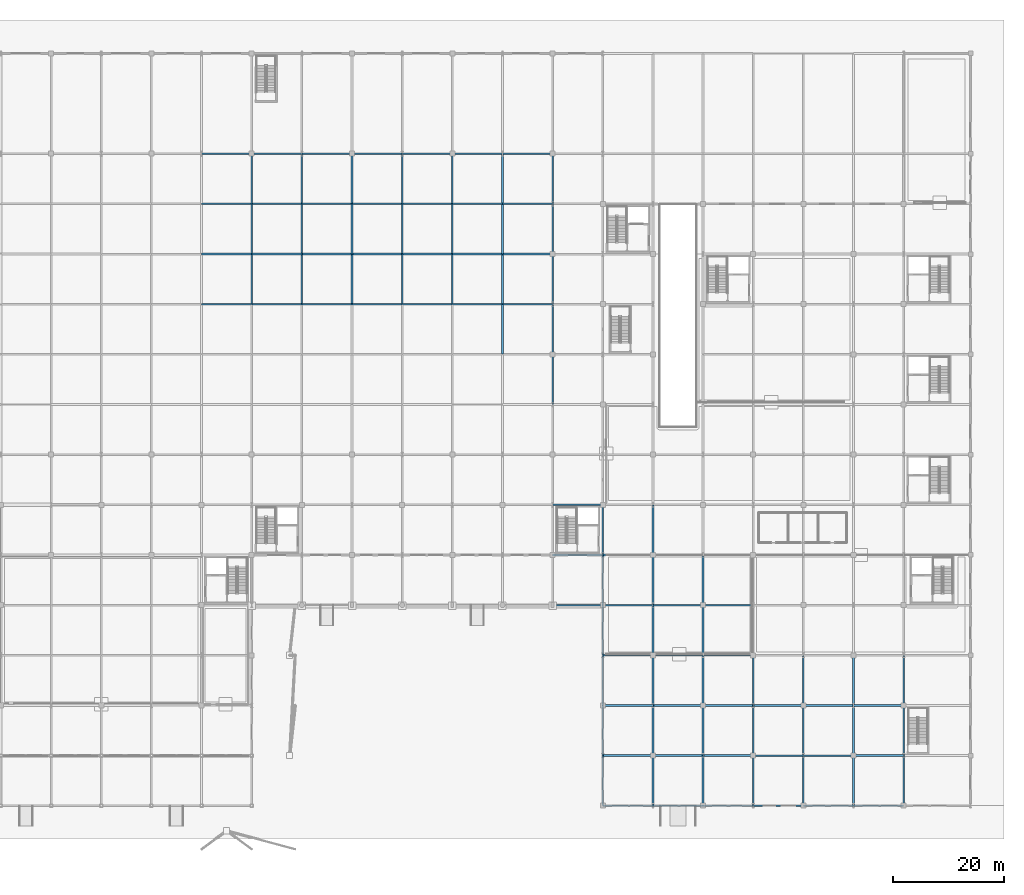
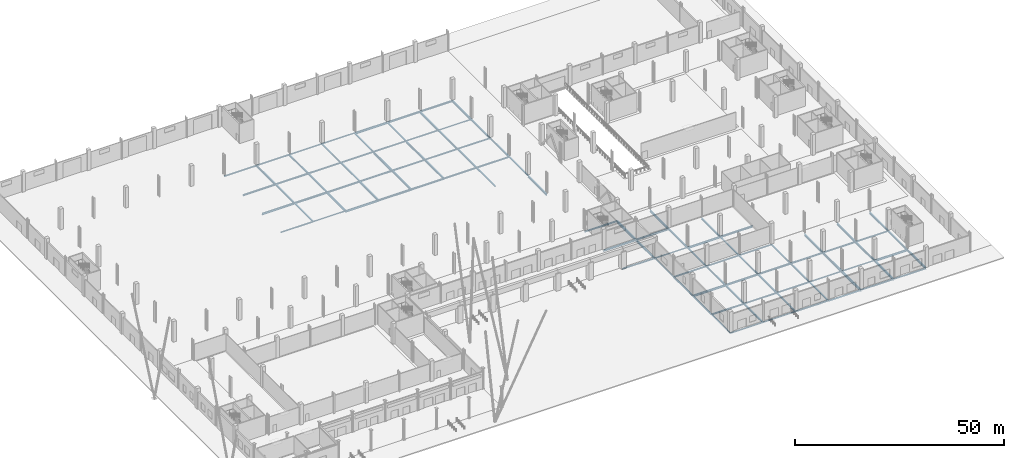
# One storey, part 21 of 58: 109 beams.
"""IFC4 building model written with IfcOpenShell, lengths in metres."""

from ifc_helpers import new_model, si_unit, direction, frame, origin, origin_2d, place, context, subcontext, project, spatial, hollow_rectangle, i_section, extrude, material, material_profile, profile_set, type_object, element, save


model = new_model("IFC4")

# Units and contexts
model_context = context("Model", 3, precision=1e-05, world=origin(), true_north=direction((0.0, 1.0)))
body_context = subcontext(model_context, "Body", "Model", "MODEL_VIEW")
ifc_project = project(units=[si_unit("LENGTHUNIT", "METRE"), si_unit("AREAUNIT", "SQUARE_METRE"), si_unit("VOLUMEUNIT", "CUBIC_METRE"), si_unit("PLANEANGLEUNIT", "RADIAN"), si_unit("MASSUNIT", "GRAM", prefix="KILO")], contexts=[model_context])

# Site, building, storey
site_placement = place(None, origin())
site = spatial("IfcSite", under=ifc_project, at=site_placement, CompositionType="ELEMENT")
building_placement = place(site_placement, origin())
building = spatial("IfcBuilding", under=site, at=building_placement, Name="Barlavento Convention Centre", CompositionType="ELEMENT")
storey_placement = place(building_placement, origin())
storey = spatial("IfcBuildingStorey", under=building, at=storey_placement, Name="L00", CompositionType="ELEMENT", Elevation=0.0)

# Beams
ifc_material = material(Name="Steel S355", Category="steel")
ifc_material_profile_1 = material_profile(ifc_material, i_section(OverallWidth=0.300048828125, OverallDepth=0.330078125, WebThickness=0.009521484375, FlangeThickness=0.0166015625, FilletRadius=0.027099609375, at=origin_2d()), Name="HEA 340")
ifc_profile_set_1 = profile_set([ifc_material_profile_1], Name="Steel S355")
beam_type_1 = type_object("IfcBeamType", Name="STR-BM-PRI-HEA340", PredefinedType="BEAM", material=ifc_profile_set_1)
for number, where, z_axis, x_axis, name in (
    (1, (153.0, 0.02001953125, -0.52490234375), (0.0, 1.0, 0.0), (-1.0, 0.0, 0.0), "L00 grid girder BG24"),
    (2, (153.0, 9.02001953125, -0.52490234375), (0.0, 1.0, 0.0), (-1.0, 0.0, 0.0), "L00 grid girder BG24"),
    (3, (153.0, 18.02001953125, -0.52490234375), (0.0, 1.0, 0.0), (-1.0, 0.0, 0.0), "L00 grid girder BG24"),
    (4, (117.0, 81.02001953125, -0.544921875), (0.0, 1.0, 0.0), (-1.0, 0.0, 0.0), "L00 grid girder BG24"),
    (5, (63.0, 90.02001953125, -0.544921875), (0.0, 1.0, 0.0), (-1.0, 0.0, 0.0), "L00 grid girder BG24"),
    (6, (81.0, 99.02001953125, -0.544921875), (0.0, 1.0, 0.0), (-1.0, 0.0, 0.0), "L00 grid girder BG24"),
    (7, (99.0, 108.02001953125, -0.544921875), (0.0, 1.0, 0.0), (-1.0, 0.0, 0.0), "L00 grid girder BG24"),
):
    element("IfcBeam", number, at=place(storey_placement, frame(where, z_axis=z_axis, x_axis=x_axis)), inside=storey, type_object=beam_type_1, Name=name, PredefinedType="BEAM", context=body_context, shape_type="SweptSolid", body=[
        extrude(i_section(OverallWidth=0.300048828125, OverallDepth=0.330078125, WebThickness=0.009521484375, FlangeThickness=0.0166015625, FilletRadius=0.027099609375, at=origin_2d()), origin(), (0.0, 0.0, 1.0), 8.9599609375),
    ])
ifc_material_profile_2 = material_profile(ifc_material, i_section(OverallWidth=0.300048828125, OverallDepth=0.35009765625, WebThickness=0.010009765625, FlangeThickness=0.017578125, FilletRadius=0.027099609375, at=origin_2d()), Name="HEA 360")
ifc_profile_set_2 = profile_set([ifc_material_profile_2], Name="Steel S355")
beam_type_2 = type_object("IfcBeamType", Name="STR-BM-PRI-HEA360", PredefinedType="BEAM", material=ifc_profile_set_2)
for number, where, z_axis, x_axis, name in (
    (8, (144.0, 0.02001953125, -0.534912109375), (0.0, 1.0, 0.0), (-1.0, 0.0, 0.0), "L00 grid girder BG23"),
    (9, (144.0, 9.02001953125, -0.534912109375), (0.0, 1.0, 0.0), (-1.0, 0.0, 0.0), "L00 grid girder BG23"),
    (10, (144.0, 18.02001953125, -0.534912109375), (0.0, 1.0, 0.0), (-1.0, 0.0, 0.0), "L00 grid girder BG23"),
    (11, (144.0, 27.02001953125, -0.534912109375), (0.0, 1.0, 0.0), (-1.0, 0.0, 0.0), "L00 grid girder BG23"),
    (12, (108.0, 81.02001953125, -0.554931640625), (0.0, 1.0, 0.0), (-1.0, 0.0, 0.0), "L00 grid girder BG23"),
    (13, (72.0, 99.02001953125, -0.554931640625), (0.0, 1.0, 0.0), (-1.0, 0.0, 0.0), "L00 grid girder BG23"),
    (14, (90.0, 108.02001953125, -0.554931640625), (0.0, 1.0, 0.0), (-1.0, 0.0, 0.0), "L00 grid girder BG23"),
):
    element("IfcBeam", number, at=place(storey_placement, frame(where, z_axis=z_axis, x_axis=x_axis)), inside=storey, type_object=beam_type_2, Name=name, PredefinedType="BEAM", context=body_context, shape_type="SweptSolid", body=[
        extrude(i_section(OverallWidth=0.300048828125, OverallDepth=0.35009765625, WebThickness=0.010009765625, FlangeThickness=0.017578125, FilletRadius=0.027099609375, at=origin_2d()), origin(), (0.0, 0.0, 1.0), 8.9599609375),
    ])
ifc_material_profile_3 = material_profile(ifc_material, i_section(OverallWidth=0.300048828125, OverallDepth=0.389892578125, WebThickness=0.010986328125, FlangeThickness=0.01904296875, FilletRadius=0.027099609375, at=origin_2d()), Name="HEA 400")
ifc_profile_set_3 = profile_set([ifc_material_profile_3], Name="Steel S355")
beam_type_3 = type_object("IfcBeamType", Name="STR-BM-PRI-HEA400", PredefinedType="BEAM", material=ifc_profile_set_3)
for number, where, z_axis, x_axis, name in (
    (15, (135.0, 0.02001953125, -0.554931640625), (0.0, 1.0, 0.0), (-1.0, 0.0, 0.0), "L00 grid girder BG22"),
    (16, (135.0, 9.02001953125, -0.554931640625), (0.0, 1.0, 0.0), (-1.0, 0.0, 0.0), "L00 grid girder BG22"),
    (17, (135.0, 18.02001953125, -0.554931640625), (0.0, 1.0, 0.0), (-1.0, 0.0, 0.0), "L00 grid girder BG22"),
    (18, (135.0, 27.02001953125, -0.554931640625), (0.0, 1.0, 0.0), (-1.0, 0.0, 0.0), "L00 grid girder BG22"),
    (19, (117.0, 90.02001953125, -0.574951171875), (0.0, 1.0, 0.0), (-1.0, 0.0, 0.0), "L00 grid girder BG22"),
    (20, (63.0, 99.02001953125, -0.574951171875), (0.0, 1.0, 0.0), (-1.0, 0.0, 0.0), "L00 grid girder BG22"),
    (21, (81.0, 108.02001953125, -0.574951171875), (0.0, 1.0, 0.0), (-1.0, 0.0, 0.0), "L00 grid girder BG22"),
):
    element("IfcBeam", number, at=place(storey_placement, frame(where, z_axis=z_axis, x_axis=x_axis)), inside=storey, type_object=beam_type_3, Name=name, PredefinedType="BEAM", context=body_context, shape_type="SweptSolid", body=[
        extrude(i_section(OverallWidth=0.300048828125, OverallDepth=0.389892578125, WebThickness=0.010986328125, FlangeThickness=0.01904296875, FilletRadius=0.027099609375, at=origin_2d()), origin(), (0.0, 0.0, 1.0), 8.9599609375),
    ])
ifc_material_profile_4 = material_profile(ifc_material, i_section(OverallWidth=0.300048828125, OverallDepth=0.43994140625, WebThickness=0.011474609375, FlangeThickness=0.02099609375, FilletRadius=0.027099609375, at=origin_2d()), Name="HEA 450")
ifc_profile_set_4 = profile_set([ifc_material_profile_4], Name="Steel S355")
beam_type_4 = type_object("IfcBeamType", Name="STR-BM-PRI-HEA450", PredefinedType="BEAM", material=ifc_profile_set_4)
for number, where, z_axis, x_axis, name in (
    (22, (144.0, 36.02001953125, -0.580078125), (0.0, 1.0, 0.0), (-1.0, 0.0, 0.0), "L00 grid girder BG21"),
    (23, (108.0, 90.02001953125, -0.60009765625), (0.0, 1.0, 0.0), (-1.0, 0.0, 0.0), "L00 grid girder BG21"),
    (24, (72.0, 108.02001953125, -0.60009765625), (0.0, 1.0, 0.0), (-1.0, 0.0, 0.0), "L00 grid girder BG21"),
):
    element("IfcBeam", number, at=place(storey_placement, frame(where, z_axis=z_axis, x_axis=x_axis)), inside=storey, type_object=beam_type_4, Name=name, PredefinedType="BEAM", context=body_context, shape_type="SweptSolid", body=[
        extrude(i_section(OverallWidth=0.300048828125, OverallDepth=0.43994140625, WebThickness=0.011474609375, FlangeThickness=0.02099609375, FilletRadius=0.027099609375, at=origin_2d()), origin(), (0.0, 0.0, 1.0), 8.9599609375),
    ])
ifc_material_profile_5 = material_profile(ifc_material, i_section(OverallWidth=0.300048828125, OverallDepth=0.489990234375, WebThickness=0.011962890625, FlangeThickness=0.02294921875, FilletRadius=0.027099609375, at=origin_2d()), Name="HEA 500")
ifc_profile_set_5 = profile_set([ifc_material_profile_5], Name="Steel S355")
beam_type_5 = type_object("IfcBeamType", Name="STR-BM-PRI-HEA500", PredefinedType="BEAM", material=ifc_profile_set_5)
for number, where, z_axis, x_axis, name in (
    (25, (135.0, 36.02001953125, -0.60498046875), (0.0, 1.0, 0.0), (-1.0, 0.0, 0.0), "L00 grid girder BG20"),
    (26, (99.0, 90.02001953125, -0.625), (0.0, 1.0, 0.0), (-1.0, 0.0, 0.0), "L00 grid girder BG20"),
    (27, (117.0, 99.02001953125, -0.625), (0.0, 1.0, 0.0), (-1.0, 0.0, 0.0), "L00 grid girder BG20"),
    (28, (63.0, 108.02001953125, -0.625), (0.0, 1.0, 0.0), (-1.0, 0.0, 0.0), "L00 grid girder BG20"),
):
    element("IfcBeam", number, at=place(storey_placement, frame(where, z_axis=z_axis, x_axis=x_axis)), inside=storey, type_object=beam_type_5, Name=name, PredefinedType="BEAM", context=body_context, shape_type="SweptSolid", body=[
        extrude(i_section(OverallWidth=0.300048828125, OverallDepth=0.489990234375, WebThickness=0.011962890625, FlangeThickness=0.02294921875, FilletRadius=0.027099609375, at=origin_2d()), origin(), (0.0, 0.0, 1.0), 8.9599609375),
    ])
ifc_material_profile_6 = material_profile(ifc_material, i_section(OverallWidth=0.300048828125, OverallDepth=0.5400390625, WebThickness=0.012451171875, FlangeThickness=0.02392578125, FilletRadius=0.027099609375, at=origin_2d()), Name="HEA 550")
ifc_profile_set_6 = profile_set([ifc_material_profile_6], Name="Steel S355")
beam_type_6 = type_object("IfcBeamType", Name="STR-BM-PRI-HEA550", PredefinedType="BEAM", material=ifc_profile_set_6)
for number, where, z_axis, x_axis, name in (
    (29, (180.0, 0.02001953125, -0.6298828125), (0.0, 1.0, 0.0), (-1.0, 0.0, 0.0), "L00 grid girder BG19"),
    (30, (180.0, 9.02001953125, -0.6298828125), (0.0, 1.0, 0.0), (-1.0, 0.0, 0.0), "L00 grid girder BG19"),
    (31, (180.0, 18.02001953125, -0.6298828125), (0.0, 1.0, 0.0), (-1.0, 0.0, 0.0), "L00 grid girder BG19"),
    (32, (126.0, 36.02001953125, -0.6298828125), (0.0, 1.0, 0.0), (-1.0, 0.0, 0.0), "L00 grid girder BG19"),
    (33, (90.0, 90.02001953125, -0.64990234375), (0.0, 1.0, 0.0), (-1.0, 0.0, 0.0), "L00 grid girder BG19"),
    (34, (108.0, 99.02001953125, -0.64990234375), (0.0, 1.0, 0.0), (-1.0, 0.0, 0.0), "L00 grid girder BG19"),
):
    element("IfcBeam", number, at=place(storey_placement, frame(where, z_axis=z_axis, x_axis=x_axis)), inside=storey, type_object=beam_type_6, Name=name, PredefinedType="BEAM", context=body_context, shape_type="SweptSolid", body=[
        extrude(i_section(OverallWidth=0.300048828125, OverallDepth=0.5400390625, WebThickness=0.012451171875, FlangeThickness=0.02392578125, FilletRadius=0.027099609375, at=origin_2d()), origin(), (0.0, 0.0, 1.0), 8.9599609375),
    ])
ifc_material_profile_7 = material_profile(ifc_material, i_section(OverallWidth=0.300048828125, OverallDepth=0.590087890625, WebThickness=0.012939453125, FlangeThickness=0.02490234375, FilletRadius=0.027099609375, at=origin_2d()), Name="HEA 600")
ifc_profile_set_7 = profile_set([ifc_material_profile_7], Name="Steel S355")
beam_type_7 = type_object("IfcBeamType", Name="STR-BM-PRI-HEA600", PredefinedType="BEAM", material=ifc_profile_set_7)
for number, where, z_axis, x_axis, name in (
    (35, (171.0, 0.02001953125, -0.655029296875), (0.0, 1.0, 0.0), (-1.0, 0.0, 0.0), "L00 grid girder BG18"),
    (36, (171.0, 9.02001953125, -0.655029296875), (0.0, 1.0, 0.0), (-1.0, 0.0, 0.0), "L00 grid girder BG18"),
    (37, (171.0, 18.02001953125, -0.655029296875), (0.0, 1.0, 0.0), (-1.0, 0.0, 0.0), "L00 grid girder BG18"),
    (38, (135.0, 45.02001953125, -0.655029296875), (0.0, 1.0, 0.0), (-1.0, 0.0, 0.0), "L00 grid girder BG18"),
    (39, (117.0, 72.02001953125, -0.675048828125), (0.0, 1.0, 0.0), (-1.0, 0.0, 0.0), "L00 grid girder BG18"),
    (40, (81.0, 90.02001953125, -0.675048828125), (0.0, 1.0, 0.0), (-1.0, 0.0, 0.0), "L00 grid girder BG18"),
    (41, (99.0, 99.02001953125, -0.675048828125), (0.0, 1.0, 0.0), (-1.0, 0.0, 0.0), "L00 grid girder BG18"),
    (42, (117.0, 108.02001953125, -0.675048828125), (0.0, 1.0, 0.0), (-1.0, 0.0, 0.0), "L00 grid girder BG18"),
):
    element("IfcBeam", number, at=place(storey_placement, frame(where, z_axis=z_axis, x_axis=x_axis)), inside=storey, type_object=beam_type_7, Name=name, PredefinedType="BEAM", context=body_context, shape_type="SweptSolid", body=[
        extrude(i_section(OverallWidth=0.300048828125, OverallDepth=0.590087890625, WebThickness=0.012939453125, FlangeThickness=0.02490234375, FilletRadius=0.027099609375, at=origin_2d()), origin(), (0.0, 0.0, 1.0), 8.9599609375),
    ])
ifc_material_profile_8 = material_profile(ifc_material, i_section(OverallWidth=0.300048828125, OverallDepth=0.639892578125, WebThickness=0.013427734375, FlangeThickness=0.02587890625, FilletRadius=0.027099609375, at=origin_2d()), Name="HEA 650")
ifc_profile_set_8 = profile_set([ifc_material_profile_8], Name="Steel S355")
beam_type_8 = type_object("IfcBeamType", Name="STR-BM-PRI-HEA650", PredefinedType="BEAM", material=ifc_profile_set_8)
for number, where, z_axis, x_axis, name in (
    (43, (162.0, 0.02001953125, -0.679931640625), (0.0, 1.0, 0.0), (-1.0, 0.0, 0.0), "L00 grid girder BG17"),
    (44, (162.0, 9.02001953125, -0.679931640625), (0.0, 1.0, 0.0), (-1.0, 0.0, 0.0), "L00 grid girder BG17"),
    (45, (162.0, 18.02001953125, -0.679931640625), (0.0, 1.0, 0.0), (-1.0, 0.0, 0.0), "L00 grid girder BG17"),
    (46, (126.0, 45.02001953125, -0.699951171875), (0.0, 1.0, 0.0), (-1.0, 0.0, 0.0), "L00 grid girder BG17"),
    (47, (72.0, 90.02001953125, -0.699951171875), (0.0, 1.0, 0.0), (-1.0, 0.0, 0.0), "L00 grid girder BG17"),
    (48, (90.0, 99.02001953125, -0.699951171875), (0.0, 1.0, 0.0), (-1.0, 0.0, 0.0), "L00 grid girder BG17"),
    (49, (108.0, 108.02001953125, -0.699951171875), (0.0, 1.0, 0.0), (-1.0, 0.0, 0.0), "L00 grid girder BG17"),
):
    element("IfcBeam", number, at=place(storey_placement, frame(where, z_axis=z_axis, x_axis=x_axis)), inside=storey, type_object=beam_type_8, Name=name, PredefinedType="BEAM", context=body_context, shape_type="SweptSolid", body=[
        extrude(i_section(OverallWidth=0.300048828125, OverallDepth=0.639892578125, WebThickness=0.013427734375, FlangeThickness=0.02587890625, FilletRadius=0.027099609375, at=origin_2d()), origin(), (0.0, 0.0, 1.0), 8.9599609375),
    ])
ifc_material_profile_9 = material_profile(ifc_material, i_section(OverallWidth=0.260009765625, OverallDepth=0.260009765625, WebThickness=0.010009765625, FlangeThickness=0.017578125, FilletRadius=0.02392578125, at=origin_2d()), Name="HEB 260")
ifc_profile_set_9 = profile_set([ifc_material_profile_9], Name="Steel S355")
beam_type_9 = type_object("IfcBeamType", Name="STR-BM-PRI-HEB260", PredefinedType="BEAM", material=ifc_profile_set_9)
for number, where, z_axis, x_axis, name in (
    (50, (162.02001953125, 9.0, -0.489990234375), (1.0, 0.0, 0.0), (0.0, 1.0, 0.0), "L00 primary girder BG16"),
    (51, (126.02001953125, 36.0, -0.489990234375), (1.0, 0.0, 0.0), (0.0, 1.0, 0.0), "L00 primary girder BG16"),
    (52, (63.02001953125, 90.0, -0.510009765625), (1.0, 0.0, 0.0), (0.0, 1.0, 0.0), "L00 primary girder BG16"),
    (53, (108.02001953125, 108.0, -0.510009765625), (1.0, 0.0, 0.0), (0.0, 1.0, 0.0), "L00 primary girder BG16"),
    (54, (81.02001953125, 117.0, -0.510009765625), (1.0, 0.0, 0.0), (0.0, 1.0, 0.0), "L00 primary girder BG16"),
):
    element("IfcBeam", number, at=place(storey_placement, frame(where, z_axis=z_axis, x_axis=x_axis)), inside=storey, type_object=beam_type_9, Name=name, PredefinedType="BEAM", context=body_context, shape_type="SweptSolid", body=[
        extrude(i_section(OverallWidth=0.260009765625, OverallDepth=0.260009765625, WebThickness=0.010009765625, FlangeThickness=0.017578125, FilletRadius=0.02392578125, at=origin_2d()), origin(), (0.0, 0.0, 1.0), 8.9599609375),
    ])
ifc_material_profile_10 = material_profile(ifc_material, i_section(OverallWidth=0.280029296875, OverallDepth=0.280029296875, WebThickness=0.010498046875, FlangeThickness=0.01806640625, FilletRadius=0.02392578125, at=origin_2d()), Name="HEB 280")
ifc_profile_set_10 = profile_set([ifc_material_profile_10], Name="Steel S355")
beam_type_10 = type_object("IfcBeamType", Name="STR-BM-PRI-HEB280", PredefinedType="BEAM", material=ifc_profile_set_10)
for number, where, z_axis, x_axis, name in (
    (55, (153.02001953125, 9.0, -0.5), (1.0, 0.0, 0.0), (0.0, 1.0, 0.0), "L00 primary girder BG15"),
    (56, (144.02001953125, 27.0, -0.5), (1.0, 0.0, 0.0), (0.0, 1.0, 0.0), "L00 primary girder BG15"),
    (57, (54.02001953125, 90.0, -0.52001953125), (1.0, 0.0, 0.0), (0.0, 1.0, 0.0), "L00 primary girder BG15"),
    (58, (99.02001953125, 108.0, -0.52001953125), (1.0, 0.0, 0.0), (0.0, 1.0, 0.0), "L00 primary girder BG15"),
    (59, (72.02001953125, 117.0, -0.52001953125), (1.0, 0.0, 0.0), (0.0, 1.0, 0.0), "L00 primary girder BG15"),
):
    element("IfcBeam", number, at=place(storey_placement, frame(where, z_axis=z_axis, x_axis=x_axis)), inside=storey, type_object=beam_type_10, Name=name, PredefinedType="BEAM", context=body_context, shape_type="SweptSolid", body=[
        extrude(i_section(OverallWidth=0.280029296875, OverallDepth=0.280029296875, WebThickness=0.010498046875, FlangeThickness=0.01806640625, FilletRadius=0.02392578125, at=origin_2d()), origin(), (0.0, 0.0, 1.0), 8.9599609375),
    ])
ifc_material_profile_11 = material_profile(ifc_material, i_section(OverallWidth=0.300048828125, OverallDepth=0.300048828125, WebThickness=0.010986328125, FlangeThickness=0.01904296875, FilletRadius=0.027099609375, at=origin_2d()), Name="HEB 300")
ifc_profile_set_11 = profile_set([ifc_material_profile_11], Name="Steel S355")
beam_type_11 = type_object("IfcBeamType", Name="STR-BM-PRI-HEB300", PredefinedType="BEAM", material=ifc_profile_set_11)
for number, where, z_axis, x_axis, name in (
    (60, (144.02001953125, 9.0, -0.510009765625), (1.0, 0.0, 0.0), (0.0, 1.0, 0.0), "L00 primary girder BG14"),
    (61, (135.02001953125, 27.0, -0.510009765625), (1.0, 0.0, 0.0), (0.0, 1.0, 0.0), "L00 primary girder BG14"),
    (62, (108.02001953125, 99.0, -0.530029296875), (1.0, 0.0, 0.0), (0.0, 1.0, 0.0), "L00 primary girder BG14"),
    (63, (90.02001953125, 108.0, -0.530029296875), (1.0, 0.0, 0.0), (0.0, 1.0, 0.0), "L00 primary girder BG14"),
    (64, (63.02001953125, 117.0, -0.530029296875), (1.0, 0.0, 0.0), (0.0, 1.0, 0.0), "L00 primary girder BG14"),
):
    element("IfcBeam", number, at=place(storey_placement, frame(where, z_axis=z_axis, x_axis=x_axis)), inside=storey, type_object=beam_type_11, Name=name, PredefinedType="BEAM", context=body_context, shape_type="SweptSolid", body=[
        extrude(i_section(OverallWidth=0.300048828125, OverallDepth=0.300048828125, WebThickness=0.010986328125, FlangeThickness=0.01904296875, FilletRadius=0.027099609375, at=origin_2d()), origin(), (0.0, 0.0, 1.0), 8.9599609375),
    ])
ifc_material_profile_12 = material_profile(ifc_material, i_section(OverallWidth=0.300048828125, OverallDepth=0.320068359375, WebThickness=0.011474609375, FlangeThickness=0.0205078125, FilletRadius=0.027099609375, at=origin_2d()), Name="HEB 320")
ifc_profile_set_12 = profile_set([ifc_material_profile_12], Name="Steel S355")
beam_type_12 = type_object("IfcBeamType", Name="STR-BM-PRI-HEB320", PredefinedType="BEAM", material=ifc_profile_set_12)
for number, where, z_axis, x_axis, name in (
    (65, (135.02001953125, 9.0, -0.52001953125), (1.0, 0.0, 0.0), (0.0, 1.0, 0.0), "L00 primary girder BG13"),
    (66, (171.02001953125, 18.0, -0.52001953125), (1.0, 0.0, 0.0), (0.0, 1.0, 0.0), "L00 primary girder BG13"),
    (67, (126.02001953125, 27.0, -0.52001953125), (1.0, 0.0, 0.0), (0.0, 1.0, 0.0), "L00 primary girder BG13"),
    (68, (99.02001953125, 99.0, -0.5400390625), (1.0, 0.0, 0.0), (0.0, 1.0, 0.0), "L00 primary girder BG13"),
    (69, (81.02001953125, 108.0, -0.5400390625), (1.0, 0.0, 0.0), (0.0, 1.0, 0.0), "L00 primary girder BG13"),
    (70, (54.02001953125, 117.0, -0.5400390625), (1.0, 0.0, 0.0), (0.0, 1.0, 0.0), "L00 primary girder BG13"),
):
    element("IfcBeam", number, at=place(storey_placement, frame(where, z_axis=z_axis, x_axis=x_axis)), inside=storey, type_object=beam_type_12, Name=name, PredefinedType="BEAM", context=body_context, shape_type="SweptSolid", body=[
        extrude(i_section(OverallWidth=0.300048828125, OverallDepth=0.320068359375, WebThickness=0.011474609375, FlangeThickness=0.0205078125, FilletRadius=0.027099609375, at=origin_2d()), origin(), (0.0, 0.0, 1.0), 8.9599609375),
    ])
ifc_material_profile_13 = material_profile(ifc_material, i_section(OverallWidth=0.300048828125, OverallDepth=0.360107421875, WebThickness=0.012451171875, FlangeThickness=0.0224609375, FilletRadius=0.027099609375, at=origin_2d()), Name="HEB 360")
ifc_profile_set_13 = profile_set([ifc_material_profile_13], Name="Steel S355")
beam_type_13 = type_object("IfcBeamType", Name="STR-BM-PRI-HEB360", PredefinedType="BEAM", material=ifc_profile_set_13)
for number, where, z_axis, x_axis, name in (
    (71, (126.02001953125, 9.0, -0.5400390625), (1.0, 0.0, 0.0), (0.0, 1.0, 0.0), "L00 primary girder BG12"),
    (72, (162.02001953125, 18.0, -0.5400390625), (1.0, 0.0, 0.0), (0.0, 1.0, 0.0), "L00 primary girder BG12"),
    (73, (117.02001953125, 54.0, -0.56005859375), (1.0, 0.0, 0.0), (0.0, 1.0, 0.0), "L00 primary girder BG12"),
    (74, (108.02001953125, 90.0, -0.56005859375), (1.0, 0.0, 0.0), (0.0, 1.0, 0.0), "L00 primary girder BG12"),
    (75, (90.02001953125, 99.0, -0.56005859375), (1.0, 0.0, 0.0), (0.0, 1.0, 0.0), "L00 primary girder BG12"),
    (76, (72.02001953125, 108.0, -0.56005859375), (1.0, 0.0, 0.0), (0.0, 1.0, 0.0), "L00 primary girder BG12"),
):
    element("IfcBeam", number, at=place(storey_placement, frame(where, z_axis=z_axis, x_axis=x_axis)), inside=storey, type_object=beam_type_13, Name=name, PredefinedType="BEAM", context=body_context, shape_type="SweptSolid", body=[
        extrude(i_section(OverallWidth=0.300048828125, OverallDepth=0.360107421875, WebThickness=0.012451171875, FlangeThickness=0.0224609375, FilletRadius=0.027099609375, at=origin_2d()), origin(), (0.0, 0.0, 1.0), 8.9599609375),
    ])
ifc_material_profile_14 = material_profile(ifc_material, i_section(OverallWidth=0.300048828125, OverallDepth=0.39990234375, WebThickness=0.013427734375, FlangeThickness=0.02392578125, FilletRadius=0.027099609375, at=origin_2d()), Name="HEB 400")
ifc_profile_set_14 = profile_set([ifc_material_profile_14], Name="Steel S355")
beam_type_14 = type_object("IfcBeamType", Name="STR-BM-PRI-HEB400", PredefinedType="BEAM", material=ifc_profile_set_14)
for number, where, z_axis, x_axis, name in (
    (77, (153.02001953125, 18.0, -0.56005859375), (1.0, 0.0, 0.0), (0.0, 1.0, 0.0), "L00 primary girder BG11"),
    (78, (99.02001953125, 90.0, -0.580078125), (1.0, 0.0, 0.0), (0.0, 1.0, 0.0), "L00 primary girder BG11"),
    (79, (81.02001953125, 99.0, -0.580078125), (1.0, 0.0, 0.0), (0.0, 1.0, 0.0), "L00 primary girder BG11"),
    (80, (63.02001953125, 108.0, -0.580078125), (1.0, 0.0, 0.0), (0.0, 1.0, 0.0), "L00 primary girder BG11"),
):
    element("IfcBeam", number, at=place(storey_placement, frame(where, z_axis=z_axis, x_axis=x_axis)), inside=storey, type_object=beam_type_14, Name=name, PredefinedType="BEAM", context=body_context, shape_type="SweptSolid", body=[
        extrude(i_section(OverallWidth=0.300048828125, OverallDepth=0.39990234375, WebThickness=0.013427734375, FlangeThickness=0.02392578125, FilletRadius=0.027099609375, at=origin_2d()), origin(), (0.0, 0.0, 1.0), 8.9599609375),
    ])
ifc_material_profile_15 = material_profile(ifc_material, i_section(OverallWidth=0.300048828125, OverallDepth=0.449951171875, WebThickness=0.013916015625, FlangeThickness=0.02587890625, FilletRadius=0.027099609375, at=origin_2d()), Name="HEB 450")
ifc_profile_set_15 = profile_set([ifc_material_profile_15], Name="Steel S355")
beam_type_15 = type_object("IfcBeamType", Name="STR-BM-PRI-HEB450", PredefinedType="BEAM", material=ifc_profile_set_15)
for number, where, z_axis, x_axis, name in (
    (81, (144.02001953125, 18.0, -0.5849609375), (1.0, 0.0, 0.0), (0.0, 1.0, 0.0), "L00 primary girder BG10"),
    (82, (126.02001953125, 45.0, -0.5849609375), (1.0, 0.0, 0.0), (0.0, 1.0, 0.0), "L00 primary girder BG10"),
    (83, (90.02001953125, 90.0, -0.60498046875), (1.0, 0.0, 0.0), (0.0, 1.0, 0.0), "L00 primary girder BG10"),
    (84, (72.02001953125, 99.0, -0.60498046875), (1.0, 0.0, 0.0), (0.0, 1.0, 0.0), "L00 primary girder BG10"),
    (85, (54.02001953125, 108.0, -0.60498046875), (1.0, 0.0, 0.0), (0.0, 1.0, 0.0), "L00 primary girder BG10"),
    (86, (108.02001953125, 117.0, -0.60498046875), (1.0, 0.0, 0.0), (0.0, 1.0, 0.0), "L00 primary girder BG10"),
):
    element("IfcBeam", number, at=place(storey_placement, frame(where, z_axis=z_axis, x_axis=x_axis)), inside=storey, type_object=beam_type_15, Name=name, PredefinedType="BEAM", context=body_context, shape_type="SweptSolid", body=[
        extrude(i_section(OverallWidth=0.300048828125, OverallDepth=0.449951171875, WebThickness=0.013916015625, FlangeThickness=0.02587890625, FilletRadius=0.027099609375, at=origin_2d()), origin(), (0.0, 0.0, 1.0), 8.9599609375),
    ])
ifc_material_profile_16 = material_profile(ifc_material, i_section(OverallWidth=0.300048828125, OverallDepth=0.5, WebThickness=0.014404296875, FlangeThickness=0.028076171875, FilletRadius=0.027099609375, at=origin_2d()), Name="HEB 500")
ifc_profile_set_16 = profile_set([ifc_material_profile_16], Name="Steel S355")
beam_type_16 = type_object("IfcBeamType", Name="STR-BM-PRI-HEB500", PredefinedType="BEAM", material=ifc_profile_set_16)
for number, where, z_axis, x_axis, name in (
    (87, (135.02001953125, 18.0, -0.610107421875), (1.0, 0.0, 0.0), (0.0, 1.0, 0.0), "L00 primary girder BG09"),
    (88, (144.02001953125, 36.0, -0.610107421875), (1.0, 0.0, 0.0), (0.0, 1.0, 0.0), "L00 primary girder BG09"),
    (89, (117.02001953125, 45.0, -0.610107421875), (1.0, 0.0, 0.0), (0.0, 1.0, 0.0), "L00 primary girder BG09"),
    (90, (81.02001953125, 90.0, -0.6298828125), (1.0, 0.0, 0.0), (0.0, 1.0, 0.0), "L00 primary girder BG09"),
    (91, (63.02001953125, 99.0, -0.6298828125), (1.0, 0.0, 0.0), (0.0, 1.0, 0.0), "L00 primary girder BG09"),
    (92, (99.02001953125, 117.0, -0.6298828125), (1.0, 0.0, 0.0), (0.0, 1.0, 0.0), "L00 primary girder BG09"),
):
    element("IfcBeam", number, at=place(storey_placement, frame(where, z_axis=z_axis, x_axis=x_axis)), inside=storey, type_object=beam_type_16, Name=name, PredefinedType="BEAM", context=body_context, shape_type="SweptSolid", body=[
        extrude(i_section(OverallWidth=0.300048828125, OverallDepth=0.5, WebThickness=0.014404296875, FlangeThickness=0.028076171875, FilletRadius=0.027099609375, at=origin_2d()), origin(), (0.0, 0.0, 1.0), 8.9599609375),
    ])
ifc_material_profile_17 = material_profile(ifc_material, i_section(OverallWidth=0.300048828125, OverallDepth=0.550048828125, WebThickness=0.014892578125, FlangeThickness=0.029052734375, FilletRadius=0.027099609375, at=origin_2d()), Name="HEB 550")
ifc_profile_set_17 = profile_set([ifc_material_profile_17], Name="Steel S355")
beam_type_17 = type_object("IfcBeamType", Name="STR-BM-PRI-HEB550", PredefinedType="BEAM", material=ifc_profile_set_17)
for number, where, z_axis, x_axis, name in (
    (93, (171.02001953125, 9.0, -0.635009765625), (1.0, 0.0, 0.0), (0.0, 1.0, 0.0), "L00 primary girder BG08"),
    (94, (126.02001953125, 18.0, -0.635009765625), (1.0, 0.0, 0.0), (0.0, 1.0, 0.0), "L00 primary girder BG08"),
    (95, (135.02001953125, 36.0, -0.635009765625), (1.0, 0.0, 0.0), (0.0, 1.0, 0.0), "L00 primary girder BG08"),
    (96, (72.02001953125, 90.0, -0.655029296875), (1.0, 0.0, 0.0), (0.0, 1.0, 0.0), "L00 primary girder BG08"),
    (97, (54.02001953125, 99.0, -0.655029296875), (1.0, 0.0, 0.0), (0.0, 1.0, 0.0), "L00 primary girder BG08"),
    (98, (90.02001953125, 117.0, -0.655029296875), (1.0, 0.0, 0.0), (0.0, 1.0, 0.0), "L00 primary girder BG08"),
):
    element("IfcBeam", number, at=place(storey_placement, frame(where, z_axis=z_axis, x_axis=x_axis)), inside=storey, type_object=beam_type_17, Name=name, PredefinedType="BEAM", context=body_context, shape_type="SweptSolid", body=[
        extrude(i_section(OverallWidth=0.300048828125, OverallDepth=0.550048828125, WebThickness=0.014892578125, FlangeThickness=0.029052734375, FilletRadius=0.027099609375, at=origin_2d()), origin(), (0.0, 0.0, 1.0), 8.9599609375),
    ])
ifc_material_profile_18 = material_profile(ifc_material, i_section(OverallWidth=0.239990234375, OverallDepth=0.22998046875, WebThickness=0.007568359375, FlangeThickness=0.011962890625, FilletRadius=0.02099609375, at=origin_2d()), Name="HEA 240")
ifc_profile_set_18 = profile_set([ifc_material_profile_18], Name="Steel S355")
beam_type_18 = type_object("IfcBeamType", Name="STR-BM-SPN-HEA240", PredefinedType="SPANDREL", material=ifc_profile_set_18)
for number, where, z_axis, x_axis, name in (
    (99, (144.02001953125, 0.0, -0.47509765625), (1.0, 0.0, 0.0), (0.0, 1.0, 0.0), "L00 primary girder SP05"),
    (100, (117.02001953125, 36.0, -0.47509765625), (1.0, 0.0, 0.0), (0.0, 1.0, 0.0), "L00 primary girder SP05"),
    (101, (126.0, 0.02001953125, -0.47509765625), (0.0, 1.0, 0.0), (-1.0, 0.0, 0.0), "L00 grid girder SP05"),
    (102, (126.0, 27.02001953125, -0.47509765625), (0.0, 1.0, 0.0), (-1.0, 0.0, 0.0), "L00 grid girder SP05"),
):
    element("IfcBeam", number, at=place(storey_placement, frame(where, z_axis=z_axis, x_axis=x_axis)), inside=storey, type_object=beam_type_18, Name=name, PredefinedType="SPANDREL", context=body_context, shape_type="SweptSolid", body=[
        extrude(i_section(OverallWidth=0.239990234375, OverallDepth=0.22998046875, WebThickness=0.007568359375, FlangeThickness=0.011962890625, FilletRadius=0.02099609375, at=origin_2d()), origin(), (0.0, 0.0, 1.0), 8.9599609375),
    ])
ifc_material_profile_19 = material_profile(ifc_material, i_section(OverallWidth=0.260009765625, OverallDepth=0.25, WebThickness=0.007568359375, FlangeThickness=0.012451171875, FilletRadius=0.02392578125, at=origin_2d()), Name="HEA 260")
ifc_profile_set_19 = profile_set([ifc_material_profile_19], Name="Steel S355")
beam_type_19 = type_object("IfcBeamType", Name="STR-BM-SPN-HEA260", PredefinedType="SPANDREL", material=ifc_profile_set_19)
beam_1_placement = place(storey_placement, frame((135.02001953125, 0.0, -0.485107421875), z_axis=(1.0, 0.0, 0.0), x_axis=(0.0, 1.0, 0.0)))
element("IfcBeam", 103, at=beam_1_placement, inside=storey, type_object=beam_type_19, Name="L00 primary girder SP04", PredefinedType="SPANDREL", context=body_context, shape_type="SweptSolid", body=[
    extrude(i_section(OverallWidth=0.260009765625, OverallDepth=0.25, WebThickness=0.007568359375, FlangeThickness=0.012451171875, FilletRadius=0.02392578125, at=origin_2d()), origin(), (0.0, 0.0, 1.0), 8.9599609375),
])
ifc_material_profile_20 = material_profile(ifc_material, i_section(OverallWidth=0.280029296875, OverallDepth=0.27001953125, WebThickness=0.008056640625, FlangeThickness=0.012939453125, FilletRadius=0.02392578125, at=origin_2d()), Name="HEA 280")
ifc_profile_set_20 = profile_set([ifc_material_profile_20], Name="Steel S355")
beam_type_20 = type_object("IfcBeamType", Name="STR-BM-SPN-HEA280", PredefinedType="SPANDREL", material=ifc_profile_set_20)
for number, where, z_axis, x_axis, name in (
    (104, (126.02001953125, 0.0, -0.4951171875), (1.0, 0.0, 0.0), (0.0, 1.0, 0.0), "L00 primary girder SP03"),
    (105, (126.0, 9.02001953125, -0.4951171875), (0.0, 1.0, 0.0), (-1.0, 0.0, 0.0), "L00 grid girder SP03"),
):
    element("IfcBeam", number, at=place(storey_placement, frame(where, z_axis=z_axis, x_axis=x_axis)), inside=storey, type_object=beam_type_20, Name=name, PredefinedType="SPANDREL", context=body_context, shape_type="SweptSolid", body=[
        extrude(i_section(OverallWidth=0.280029296875, OverallDepth=0.27001953125, WebThickness=0.008056640625, FlangeThickness=0.012939453125, FilletRadius=0.02392578125, at=origin_2d()), origin(), (0.0, 0.0, 1.0), 8.9599609375),
    ])
ifc_material_profile_21 = material_profile(ifc_material, i_section(OverallWidth=0.300048828125, OverallDepth=0.2900390625, WebThickness=0.008544921875, FlangeThickness=0.013916015625, FilletRadius=0.027099609375, at=origin_2d()), Name="HEA 300")
ifc_profile_set_21 = profile_set([ifc_material_profile_21], Name="Steel S355")
beam_type_21 = type_object("IfcBeamType", Name="STR-BM-SPN-HEA300", PredefinedType="SPANDREL", material=ifc_profile_set_21)
beam_2_placement = place(storey_placement, frame((171.02001953125, 0.0, -0.5048828125), z_axis=(1.0, 0.0, 0.0), x_axis=(0.0, 1.0, 0.0)))
element("IfcBeam", 106, at=beam_2_placement, inside=storey, type_object=beam_type_21, Name="L00 primary girder SP02", PredefinedType="SPANDREL", context=body_context, shape_type="SweptSolid", body=[
    extrude(i_section(OverallWidth=0.300048828125, OverallDepth=0.2900390625, WebThickness=0.008544921875, FlangeThickness=0.013916015625, FilletRadius=0.027099609375, at=origin_2d()), origin(), (0.0, 0.0, 1.0), 8.9599609375),
])
ifc_material_profile_22 = material_profile(ifc_material, i_section(OverallWidth=0.300048828125, OverallDepth=0.31005859375, WebThickness=0.009033203125, FlangeThickness=0.015380859375, FilletRadius=0.027099609375, at=origin_2d()), Name="HEA 320")
ifc_profile_set_22 = profile_set([ifc_material_profile_22], Name="Steel S355")
beam_type_22 = type_object("IfcBeamType", Name="STR-BM-SPN-HEA320", PredefinedType="SPANDREL", material=ifc_profile_set_22)
for number, where, z_axis, x_axis, name in (
    (107, (162.02001953125, 0.0, -0.514892578125), (1.0, 0.0, 0.0), (0.0, 1.0, 0.0), "L00 primary girder SP01"),
    (108, (126.0, 18.02001953125, -0.514892578125), (0.0, 1.0, 0.0), (-1.0, 0.0, 0.0), "L00 grid girder SP01"),
):
    element("IfcBeam", number, at=place(storey_placement, frame(where, z_axis=z_axis, x_axis=x_axis)), inside=storey, type_object=beam_type_22, Name=name, PredefinedType="SPANDREL", context=body_context, shape_type="SweptSolid", body=[
        extrude(i_section(OverallWidth=0.300048828125, OverallDepth=0.31005859375, WebThickness=0.009033203125, FlangeThickness=0.015380859375, FilletRadius=0.027099609375, at=origin_2d()), origin(), (0.0, 0.0, 1.0), 8.9599609375),
    ])
ifc_material_profile_23 = material_profile(ifc_material, hollow_rectangle(XDim=0.199951171875, YDim=0.39990234375, WallThickness=0.01611328125, at=origin_2d()), Name="RHS 400x200x16.0")
ifc_profile_set_23 = profile_set([ifc_material_profile_23], Name="Steel S355")
beam_type_23 = type_object("IfcBeamType", Name="STR-BM-SPN-RHS400", PredefinedType="SPANDREL", material=ifc_profile_set_23)
beam_3_placement = place(storey_placement, frame((153.02001953125, 0.0, -0.56005859375), z_axis=(1.0, 0.0, 0.0), x_axis=(0.0, 1.0, 0.0)))
element("IfcBeam", 109, at=beam_3_placement, inside=storey, type_object=beam_type_23, Name="L00 primary girder SP06", PredefinedType="SPANDREL", context=body_context, shape_type="SweptSolid", body=[
    extrude(hollow_rectangle(XDim=0.199951171875, YDim=0.39990234375, WallThickness=0.01611328125, at=origin_2d()), origin(), (0.0, 0.0, 1.0), 8.9599609375),
])

save(model, "model.ifc")
